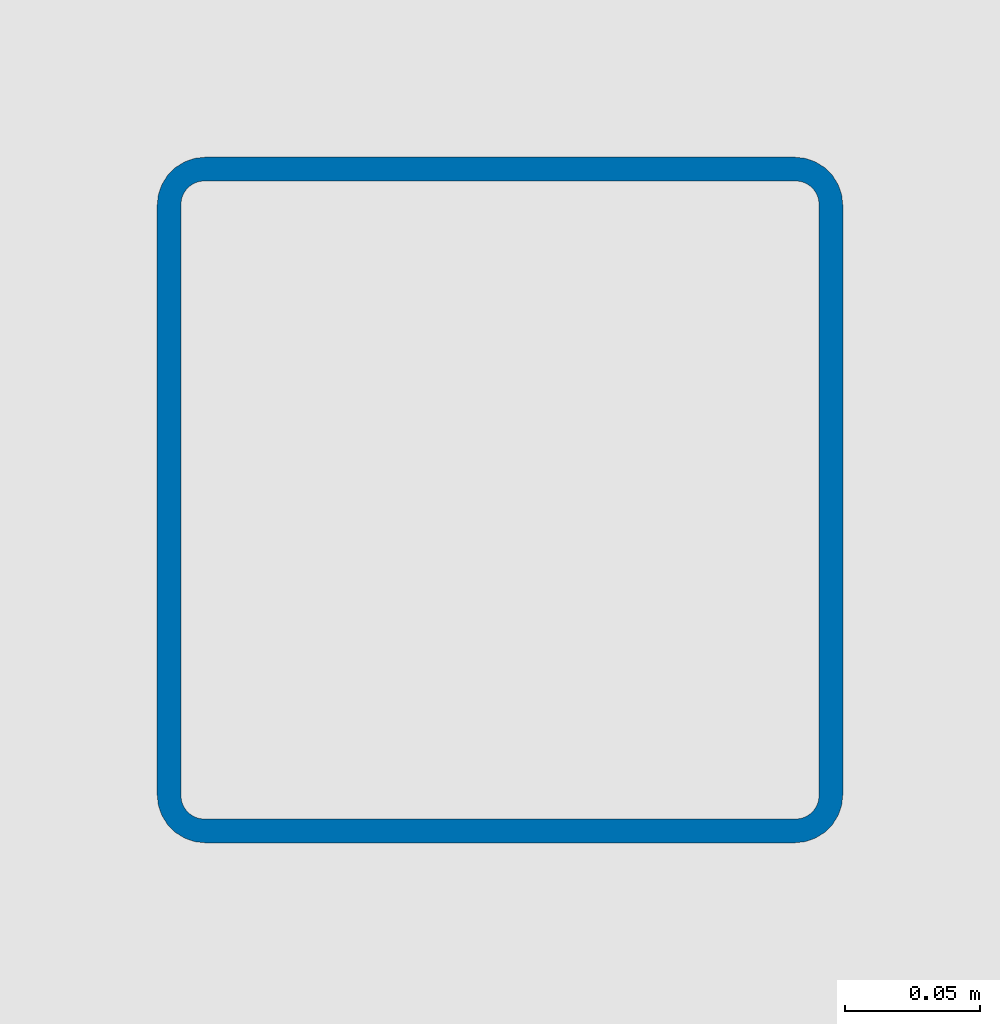
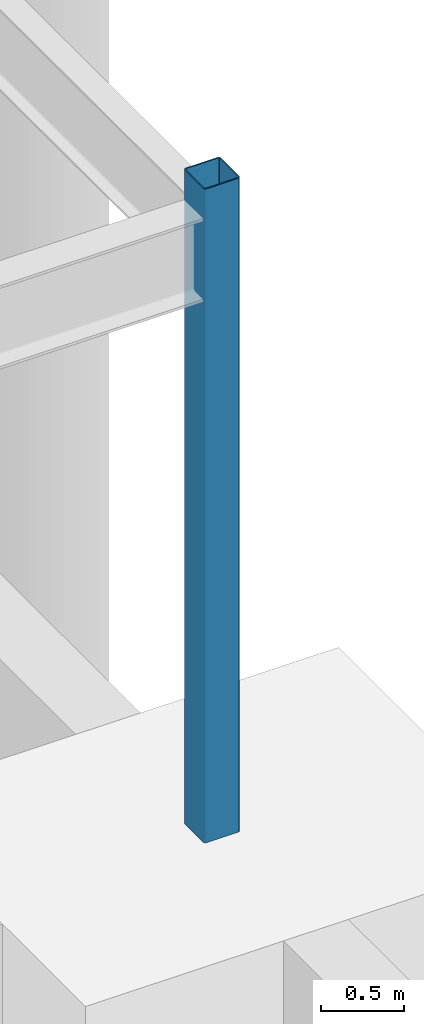
# One storey, part 38 of 105: 1 column.
"""IFC4 building model written with IfcOpenShell, lengths in metres."""

import ifcopenshell
import ifcopenshell.guid

model = None  # the IFC model being written
_history = None  # IfcOwnerHistory: only IFC2X3 demands one
_inside = {}  # id of a spatial element -> (the spatial element, [elements in it])
_under = {}  # id of a project, library or spatial element -> (it, [spatial elements below it])
_declared = {}  # id of a project -> (the project, [libraries it declares])
_typed = {}  # id of a type object -> (the type object, [elements of that type])
_made_of = {}  # id of a material, layer set ... -> (it, [elements and type objects made of it])


def new_model(schema):
    """Start an empty IFC model of exactly this schema.

    Asked for "IFC4X3", IfcOpenShell would pick the latest addendum, in which some entities
    have other attributes; the version numbers below select the first issue.
    IFC2X3 requires an IfcOwnerHistory on every rooted entity: one is made here for all.
    """
    global model, _history
    if schema == "IFC4X3":
        model = ifcopenshell.file(schema_version=(4, 3, 0, 0))
    else:
        model = ifcopenshell.file(schema=schema)
    _inside.clear()
    _under.clear()
    _declared.clear()
    _typed.clear()
    _made_of.clear()
    _history = None
    if model.schema == "IFC2X3":
        org = make("IfcOrganization", Name="unknown")
        user = make(
            "IfcPersonAndOrganization",
            ThePerson=make("IfcPerson", FamilyName="unknown"),
            TheOrganization=org,
        )
        app = make(
            "IfcApplication",
            ApplicationDeveloper=org,
            Version="unknown",
            ApplicationFullName="unknown",
            ApplicationIdentifier="unknown",
        )
        _history = make(
            "IfcOwnerHistory",
            OwningUser=user,
            OwningApplication=app,
            ChangeAction="ADDED",
            CreationDate=0,
        )
    return model


def make(cls, **values):
    """One entity of the class cls with the attributes given. An attribute that is None is left unset."""
    return model.create_entity(
        cls, **{name: value for name, value in values.items() if value is not None}
    )


def rooted(cls, **values):
    """An entity with a GlobalId (a new one), such as an element, a storey or a relation."""
    return make(cls, GlobalId=ifcopenshell.guid.new(), OwnerHistory=_history, **values)


def si_unit(unit_type, name, prefix=None):
    """IfcSIUnit, for example si_unit("LENGTHUNIT", "METRE", prefix="MILLI")."""
    return make("IfcSIUnit", UnitType=unit_type, Prefix=prefix, Name=name)


def assignment(units):
    """IfcUnitAssignment: the units of a project."""
    return None if units is None else make("IfcUnitAssignment", Units=units)


def point(xyz):
    """IfcCartesianPoint."""
    return None if xyz is None else make("IfcCartesianPoint", Coordinates=xyz)


def direction(xyz):
    """IfcDirection."""
    return None if xyz is None else make("IfcDirection", DirectionRatios=xyz)


def frame(location, z_axis=None, x_axis=None):
    """IfcAxis2Placement3D, a coordinate frame: its origin and axes. An axis left out is left unset."""
    return make(
        "IfcAxis2Placement3D",
        Location=point(location),
        Axis=direction(z_axis),
        RefDirection=direction(x_axis),
    )


def frame_2d(location, x_axis=None):
    """IfcAxis2Placement2D, a coordinate frame in the plane: its origin and x axis."""
    return make(
        "IfcAxis2Placement2D", Location=point(location), RefDirection=direction(x_axis)
    )


def origin():
    """The frame at (0, 0, 0) with its axes left unset."""
    return frame((0.0, 0.0, 0.0))


def origin_2d():
    """The frame at (0, 0) in the plane with its x axis left unset."""
    return frame_2d((0.0, 0.0))


def place(relative_to, where):
    """IfcLocalPlacement: puts the frame where relative to a parent placement (None: the world)."""
    return make(
        "IfcLocalPlacement", PlacementRelTo=relative_to, RelativePlacement=where
    )


def context(
    kind, dimensions, precision=None, world=None, true_north=None, identifier=None
):
    """IfcGeometricRepresentationContext, for example the 3D "Model" context."""
    return make(
        "IfcGeometricRepresentationContext",
        ContextIdentifier=identifier,
        ContextType=kind,
        CoordinateSpaceDimension=dimensions,
        Precision=precision,
        WorldCoordinateSystem=world,
        TrueNorth=true_north,
    )


def subcontext(parent, identifier, kind, view, scale=None):
    """IfcGeometricRepresentationSubContext, for example "Body" below "Model"."""
    return make(
        "IfcGeometricRepresentationSubContext",
        ContextIdentifier=identifier,
        ContextType=kind,
        ParentContext=parent,
        TargetScale=scale,
        TargetView=view,
    )


def project(units=None, contexts=None):
    """IfcProject with its units and contexts."""
    return rooted(
        "IfcProject",
        Name="project",
        RepresentationContexts=contexts,
        UnitsInContext=assignment(units),
    )


def spatial(cls, under=None, at=None, **own):
    """A site, building, storey or space (cls), placed at a placement, below another one or the project."""
    s = rooted(cls, ObjectPlacement=at, **own)
    if under is not None:
        _under.setdefault(under.id(), (under, []))[1].append(s)
    return s


def profile(cls, at=None, kind="AREA", **sizes):
    """A parametric profile (cls). Its sizes go by their IFC names, for example OverallWidth=200.0."""
    return make(cls, ProfileType=kind, Position=at, **sizes)


def hollow_rectangle(**sizes):
    """IfcRectangleHollowProfileDef."""
    return profile("IfcRectangleHollowProfileDef", **sizes)


def extrude(swept, where, along, depth):
    """IfcExtrudedAreaSolid: the profile swept, set in the frame where, extruded along a direction by depth."""
    return make(
        "IfcExtrudedAreaSolid",
        SweptArea=swept,
        Position=where,
        ExtrudedDirection=direction(along),
        Depth=depth,
    )


def shape(context_of_items, identifier, shape_type, items):
    """IfcShapeRepresentation: the items that make up one representation, for example the "Body"."""
    return make(
        "IfcShapeRepresentation",
        ContextOfItems=context_of_items,
        RepresentationIdentifier=identifier,
        RepresentationType=shape_type,
        Items=items,
    )


def material(Name=None, Category=None):
    """IfcMaterial."""
    return make("IfcMaterial", Name=Name, Category=Category)


def material_profile(
    of_material, cross_section, Name=None, Category=None, Priority=None
):
    """IfcMaterialProfile: a cross section and its material."""
    return make(
        "IfcMaterialProfile",
        Name=Name,
        Material=of_material,
        Profile=cross_section,
        Priority=Priority,
        Category=Category,
    )


def profile_set(profiles, Name=None, composite=None):
    """IfcMaterialProfileSet."""
    return make(
        "IfcMaterialProfileSet",
        Name=Name,
        MaterialProfiles=profiles,
        CompositeProfile=composite,
    )


def made_of(thing, what):
    """Note that an element or type object is made of a material, layer set ...; save() writes the relation."""
    if what is not None:
        _made_of.setdefault(what.id(), (what, []))[1].append(thing)
    return thing


def type_object(cls, material=None, **own):
    """A type object (cls), such as IfcWallType, which elements share."""
    return made_of(rooted(cls, **own), material)


def element(
    cls,
    number,
    at=None,
    inside=None,
    cuts=None,
    type_object=None,
    material=None,
    context=None,
    identifier="Body",
    shape_type=None,
    held_by="IfcProductDefinitionShape",
    body=None,
    shapes=None,
    **own,
):
    """One element of the class cls, such as IfcWall. Its Tag is "e" and its number.

    at: its placement. inside: the storey or other place that contains it. cuts: it is an
    opening in that element (IfcRelVoidsElement). A single representation is given by context,
    identifier, shape_type and body (its items); several are given by shapes. held_by: the class
    of the entity that holds the representations. save() writes the other relations.
    """
    e = rooted(cls, Tag="e%d" % number, ObjectPlacement=at, **own)
    if body is not None:
        shapes = [shape(context, identifier, shape_type, body)]
    if shapes is not None:
        e.Representation = make(held_by, Representations=shapes)
    if inside is not None:
        _inside.setdefault(inside.id(), (inside, []))[1].append(e)
    if cuts is not None:
        rooted(
            "IfcRelVoidsElement", RelatingBuildingElement=cuts, RelatedOpeningElement=e
        )
    if type_object is not None:
        _typed.setdefault(type_object.id(), (type_object, []))[1].append(e)
    return made_of(e, material)


def aggregate(whole, parts):
    """IfcRelAggregates: a whole, such as a stair, and the parts it consists of."""
    return rooted("IfcRelAggregates", RelatingObject=whole, RelatedObjects=parts)


def save(model, path):
    """Write the relations noted so far, then the file.

    IfcRelAggregates (storeys below a building ...), IfcRelContainedInSpatialStructure (elements
    in a storey), IfcRelDefinesByType, IfcRelAssociatesMaterial and IfcRelDeclares: one each for
    every whole, place, type object, material and project.
    """
    for whole, parts in _under.values():
        aggregate(whole, parts)
    for where, things in _inside.values():
        rooted(
            "IfcRelContainedInSpatialStructure",
            RelatedElements=things,
            RelatingStructure=where,
        )
    for kind, things in _typed.values():
        rooted("IfcRelDefinesByType", RelatedObjects=things, RelatingType=kind)
    for what, things in _made_of.values():
        rooted("IfcRelAssociatesMaterial", RelatedObjects=things, RelatingMaterial=what)
    for by, libraries in _declared.values():
        rooted("IfcRelDeclares", RelatingContext=by, RelatedDefinitions=libraries)
    model.write(path)


model = new_model("IFC4")

# Units and contexts
model_context = context("Model", 3, precision=1e-05, world=origin(), true_north=direction((0.0, 1.0)))
body_context = subcontext(model_context, "Body", "Model", "MODEL_VIEW")
ifc_project = project(units=[si_unit("LENGTHUNIT", "METRE"), si_unit("AREAUNIT", "SQUARE_METRE"), si_unit("VOLUMEUNIT", "CUBIC_METRE"), si_unit("PLANEANGLEUNIT", "RADIAN"), si_unit("MASSUNIT", "GRAM", prefix="KILO")], contexts=[model_context])

# Site, building, storey
site_placement = place(None, origin())
site = spatial("IfcSite", under=ifc_project, at=site_placement, CompositionType="ELEMENT")
building_placement = place(site_placement, origin())
building = spatial("IfcBuilding", under=site, at=building_placement, Name="Solmirada Galleria", CompositionType="ELEMENT")
storey_placement = place(building_placement, frame((0.0, 0.0, -4.800048828125)))
storey = spatial("IfcBuildingStorey", under=building, at=storey_placement, Name="B1", CompositionType="ELEMENT", Elevation=-4.800048828125)

# Column
ifc_material = material(Name="Steel S355 / ASTM A500 Grade C", Category="steel")
ifc_material_profile = material_profile(ifc_material, hollow_rectangle(XDim=0.25390625, YDim=0.25390625, WallThickness=0.0087890625, InnerFilletRadius=0.0087890625, OuterFilletRadius=0.017822265625, at=origin_2d()), Name="HSS10X10X3/8")
ifc_profile_set = profile_set([ifc_material_profile], Name="Steel S355 / ASTM A500 Grade C")
column_type = type_object("IfcColumnType", Name="COL-HSS10", PredefinedType="COLUMN", material=ifc_profile_set)
column_placement = place(storey_placement, frame((136.0, 56.0, 0.0), z_axis=(0.0, 0.0, 1.0), x_axis=(1.0, 0.0, 0.0)))
element("IfcColumn", 1, at=column_placement, inside=storey, type_object=column_type, Name="Structural column B1-1148", PredefinedType="COLUMN", context=body_context, shape_type="SweptSolid", body=[
    extrude(hollow_rectangle(XDim=0.25390625, YDim=0.25390625, WallThickness=0.0087890625, InnerFilletRadius=0.0087890625, OuterFilletRadius=0.017822265625, at=origin_2d()), origin(), (0.0, 0.0, 1.0), 4.800048828125),
])

save(model, "model.ifc")
